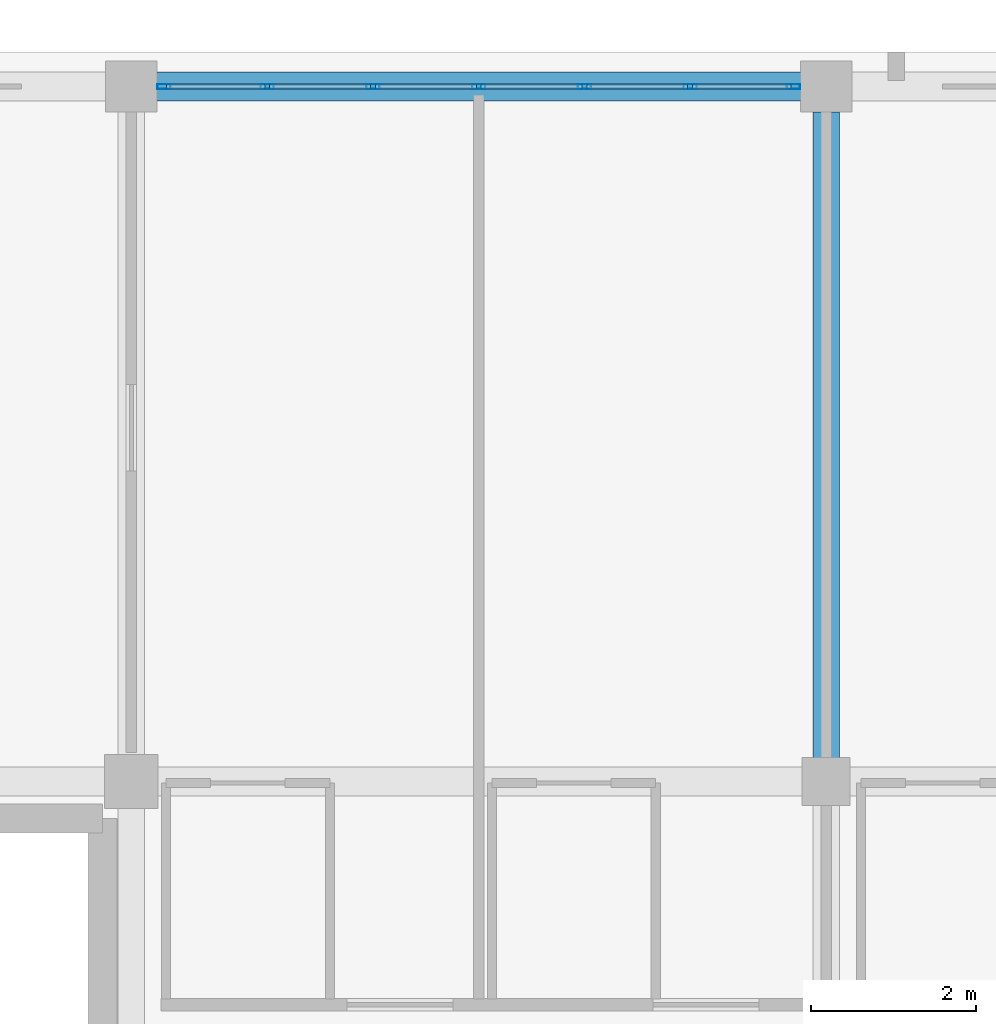
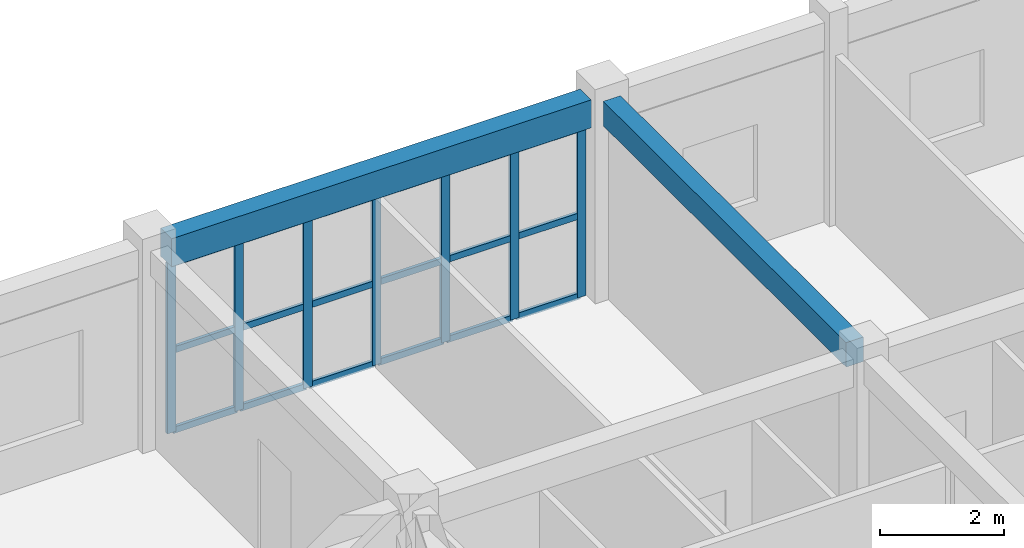
# One storey, part 50 of 81: 25 members, 2 beams, 1 element without a shape of its own.
"""IFC4 building model written with IfcOpenShell, lengths in metres."""

from ifc_helpers import new_model, si_unit, direction, frame, origin, origin_2d, place, context, subcontext, project, spatial, rectangle, hollow_rectangle, extrude, material, layer, layer_set, material_profile, profile_set, type_object, element, aggregate, save


model = new_model("IFC4")

# Units and contexts
model_context = context("Model", 3, precision=1e-05, world=origin(), true_north=direction((0.0, 1.0)))
body_context = subcontext(model_context, "Body", "Model", "MODEL_VIEW")
ifc_project = project(units=[si_unit("LENGTHUNIT", "METRE"), si_unit("AREAUNIT", "SQUARE_METRE"), si_unit("VOLUMEUNIT", "CUBIC_METRE"), si_unit("PLANEANGLEUNIT", "RADIAN"), si_unit("MASSUNIT", "GRAM", prefix="KILO")], contexts=[model_context])

# Site, building, storey
site_placement = place(None, origin())
site = spatial("IfcSite", under=ifc_project, at=site_placement, CompositionType="ELEMENT")
building_placement = place(site_placement, origin())
building = spatial("IfcBuilding", under=site, at=building_placement, Name="Trelvath General Hospital", CompositionType="ELEMENT")
storey_placement = place(building_placement, frame((0.0, 0.0, 24.60009765625)))
storey = spatial("IfcBuildingStorey", under=building, at=storey_placement, Name="L06", CompositionType="ELEMENT", Elevation=24.60009765625)

# Beams
ifc_material_1 = material(Name="Concrete C35/45", Category="concrete")
ifc_material_profile_1 = material_profile(ifc_material_1, rectangle(XDim=0.320068359375, YDim=0.47998046875, at=origin_2d()), Name="RCB320x480")
ifc_profile_set_1 = profile_set([ifc_material_profile_1], Name="Concrete C35/45")
beam_type_1 = type_object("IfcBeamType", Name="Beam RC320x480", PredefinedType="BEAM", material=ifc_profile_set_1)
beam_1_placement = place(storey_placement, frame((100.800048828125, 109.485107421875, 3.679931640625), z_axis=(0.0, 1.0, 0.0), x_axis=(-1.0, 0.0, 0.0)))
element("IfcBeam", 1, at=beam_1_placement, inside=storey, type_object=beam_type_1, Name="Grid Beam BY-612N", PredefinedType="BEAM", context=body_context, shape_type="SweptSolid", body=[
    extrude(rectangle(XDim=0.320068359375, YDim=0.47998046875, at=origin_2d()), origin(), (0.0, 0.0, 1.0), 7.809814453125),
])
ifc_material_2 = material(Name="Concrete C35/45", Category="concrete")
ifc_material_profile_2 = material_profile(ifc_material_2, rectangle(XDim=0.35009765625, YDim=0.550048828125, at=origin_2d()), Name="RCB350x550")
ifc_profile_set_2 = profile_set([ifc_material_profile_2], Name="Concrete C35/45")
beam_type_2 = type_object("IfcBeamType", Name="Beam RC350x550", PredefinedType="BEAM", material=ifc_profile_set_2)
beam_2_placement = place(storey_placement, frame((92.705078125, 117.60009765625, 3.64501953125), z_axis=(1.0, 0.0, 0.0), x_axis=(0.0, 1.0, 0.0)))
element("IfcBeam", 2, at=beam_2_placement, inside=storey, type_object=beam_type_2, Name="Grid Beam BX-611O", PredefinedType="BEAM", context=body_context, shape_type="SweptSolid", body=[
    extrude(rectangle(XDim=0.35009765625, YDim=0.550048828125, at=origin_2d()), origin(), (0.0, 0.0, 1.0), 7.7900390625),
])

# Curtain wall, members
ifc_material_3 = material(Name="Anodised aluminium and low-E glass", Category="aluminium")
ifc_layer = layer(ifc_material_3, 0.14990234375)
ifc_layer_set = layer_set([ifc_layer], Name="Anodised aluminium and low-E glass")
curtain_wall_type = type_object("IfcCurtainWallType", Name="CW Facade 767 334 15", PredefinedType="USERDEFINED", material=ifc_layer_set)
curtain_wall_placement = place(storey_placement, origin())
curtain_wall = element("IfcCurtainWall", 3, at=curtain_wall_placement, inside=storey, type_object=curtain_wall_type, Name="Facade Curtain Wall CW-083", ObjectType="Unitised Glazed Curtain Wall", PredefinedType="USERDEFINED")
ifc_material_4 = material(Name="Anodised aluminium", Category="aluminium")
ifc_material_profile_3 = material_profile(ifc_material_4, hollow_rectangle(XDim=0.06005859375, YDim=0.159912109375, WallThickness=0.00390625, at=origin_2d()), Name="RHS60x160x4")
ifc_profile_set_3 = profile_set([ifc_material_profile_3], Name="Anodised aluminium")
member_type_1 = type_object("IfcMemberType", Name="CurtainMullion 60x160", PredefinedType="MULLION", material=ifc_profile_set_3)
member_1_placement = place(storey_placement, frame((92.794921875, 117.60009765625, 0.0), z_axis=(0.0, 0.0, 1.0), x_axis=(0.0, 1.0, 0.0)))
member_1 = element("IfcMember", 4, at=member_1_placement, type_object=member_type_1, Name="CW-083 mullion 1", PredefinedType="MULLION", context=body_context, shape_type="SweptSolid", body=[
    extrude(hollow_rectangle(XDim=0.06005859375, YDim=0.159912109375, WallThickness=0.00390625, at=origin_2d()), origin(), (0.0, 0.0, 1.0), 3.33984375),
])
member_2_placement = place(storey_placement, frame((94.043212890625, 117.60009765625, 0.0), z_axis=(0.0, 0.0, 1.0), x_axis=(0.0, 1.0, 0.0)))
member_2 = element("IfcMember", 5, at=member_2_placement, type_object=member_type_1, Name="CW-083 mullion 2", PredefinedType="MULLION", context=body_context, shape_type="SweptSolid", body=[
    extrude(hollow_rectangle(XDim=0.06005859375, YDim=0.159912109375, WallThickness=0.00390625, at=origin_2d()), origin(), (0.0, 0.0, 1.0), 3.33984375),
])
member_3_placement = place(storey_placement, frame((95.32177734375, 117.60009765625, 0.0), z_axis=(0.0, 0.0, 1.0), x_axis=(0.0, 1.0, 0.0)))
member_3 = element("IfcMember", 6, at=member_3_placement, type_object=member_type_1, Name="CW-083 mullion 3", PredefinedType="MULLION", context=body_context, shape_type="SweptSolid", body=[
    extrude(hollow_rectangle(XDim=0.06005859375, YDim=0.159912109375, WallThickness=0.00390625, at=origin_2d()), origin(), (0.0, 0.0, 1.0), 3.33984375),
])
member_4_placement = place(storey_placement, frame((96.60009765625, 117.60009765625, 0.0), z_axis=(0.0, 0.0, 1.0), x_axis=(0.0, 1.0, 0.0)))
member_4 = element("IfcMember", 7, at=member_4_placement, type_object=member_type_1, Name="CW-083 mullion 4", PredefinedType="MULLION", context=body_context, shape_type="SweptSolid", body=[
    extrude(hollow_rectangle(XDim=0.06005859375, YDim=0.159912109375, WallThickness=0.00390625, at=origin_2d()), origin(), (0.0, 0.0, 1.0), 3.33984375),
])
member_5_placement = place(storey_placement, frame((97.87841796875, 117.60009765625, 0.0), z_axis=(0.0, 0.0, 1.0), x_axis=(0.0, 1.0, 0.0)))
member_5 = element("IfcMember", 8, at=member_5_placement, type_object=member_type_1, Name="CW-083 mullion 5", PredefinedType="MULLION", context=body_context, shape_type="SweptSolid", body=[
    extrude(hollow_rectangle(XDim=0.06005859375, YDim=0.159912109375, WallThickness=0.00390625, at=origin_2d()), origin(), (0.0, 0.0, 1.0), 3.33984375),
])
member_6_placement = place(storey_placement, frame((99.15673828125, 117.60009765625, 0.0), z_axis=(0.0, 0.0, 1.0), x_axis=(0.0, 1.0, 0.0)))
member_6 = element("IfcMember", 9, at=member_6_placement, type_object=member_type_1, Name="CW-083 mullion 6", PredefinedType="MULLION", context=body_context, shape_type="SweptSolid", body=[
    extrude(hollow_rectangle(XDim=0.06005859375, YDim=0.159912109375, WallThickness=0.00390625, at=origin_2d()), origin(), (0.0, 0.0, 1.0), 3.33984375),
])
member_7_placement = place(storey_placement, frame((100.405029296875, 117.60009765625, 0.0), z_axis=(0.0, 0.0, 1.0), x_axis=(0.0, 1.0, 0.0)))
member_7 = element("IfcMember", 10, at=member_7_placement, type_object=member_type_1, Name="CW-083 mullion 7", PredefinedType="MULLION", context=body_context, shape_type="SweptSolid", body=[
    extrude(hollow_rectangle(XDim=0.06005859375, YDim=0.159912109375, WallThickness=0.00390625, at=origin_2d()), origin(), (0.0, 0.0, 1.0), 3.33984375),
])
ifc_material_5 = material(Name="Anodised aluminium", Category="aluminium")
ifc_material_profile_4 = material_profile(ifc_material_5, hollow_rectangle(XDim=0.06005859375, YDim=0.125, WallThickness=0.00390625, at=origin_2d()), Name="RHS60x125x4")
ifc_profile_set_4 = profile_set([ifc_material_profile_4], Name="Anodised aluminium")
member_type_2 = type_object("IfcMemberType", Name="CurtainTransom 60x125", PredefinedType="USERDEFINED", material=ifc_profile_set_4)
member_8_placement = place(storey_placement, frame((92.824951171875, 117.60009765625, 0.02978515625), z_axis=(1.0, 0.0, 0.0), x_axis=(0.0, 1.0, 0.0)))
member_8 = element("IfcMember", 11, at=member_8_placement, type_object=member_type_2, Name="CW-083 transom 1.1", ObjectType="TRANSOM", PredefinedType="USERDEFINED", context=body_context, shape_type="SweptSolid", body=[
    extrude(hollow_rectangle(XDim=0.06005859375, YDim=0.125, WallThickness=0.00390625, at=origin_2d()), origin(), (0.0, 0.0, 1.0), 1.1884765625),
])
member_9_placement = place(storey_placement, frame((92.824951171875, 117.60009765625, 1.602783203125), z_axis=(1.0, 0.0, 0.0), x_axis=(0.0, 1.0, 0.0)))
member_9 = element("IfcMember", 12, at=member_9_placement, type_object=member_type_2, Name="CW-083 transom 1.2", ObjectType="TRANSOM", PredefinedType="USERDEFINED", context=body_context, shape_type="SweptSolid", body=[
    extrude(hollow_rectangle(XDim=0.06005859375, YDim=0.125, WallThickness=0.00390625, at=origin_2d()), origin(), (0.0, 0.0, 1.0), 1.1884765625),
])
member_10_placement = place(storey_placement, frame((92.824951171875, 117.60009765625, 3.309814453125), z_axis=(1.0, 0.0, 0.0), x_axis=(0.0, 1.0, 0.0)))
member_10 = element("IfcMember", 13, at=member_10_placement, type_object=member_type_2, Name="CW-083 transom 1.3", ObjectType="TRANSOM", PredefinedType="USERDEFINED", context=body_context, shape_type="SweptSolid", body=[
    extrude(hollow_rectangle(XDim=0.06005859375, YDim=0.125, WallThickness=0.00390625, at=origin_2d()), origin(), (0.0, 0.0, 1.0), 1.1884765625),
])
member_11_placement = place(storey_placement, frame((94.0732421875, 117.60009765625, 0.02978515625), z_axis=(1.0, 0.0, 0.0), x_axis=(0.0, 1.0, 0.0)))
member_11 = element("IfcMember", 14, at=member_11_placement, type_object=member_type_2, Name="CW-083 transom 2.1", ObjectType="TRANSOM", PredefinedType="USERDEFINED", context=body_context, shape_type="SweptSolid", body=[
    extrude(hollow_rectangle(XDim=0.06005859375, YDim=0.125, WallThickness=0.00390625, at=origin_2d()), origin(), (0.0, 0.0, 1.0), 1.218505859375),
])
member_12_placement = place(storey_placement, frame((94.0732421875, 117.60009765625, 1.602783203125), z_axis=(1.0, 0.0, 0.0), x_axis=(0.0, 1.0, 0.0)))
member_12 = element("IfcMember", 15, at=member_12_placement, type_object=member_type_2, Name="CW-083 transom 2.2", ObjectType="TRANSOM", PredefinedType="USERDEFINED", context=body_context, shape_type="SweptSolid", body=[
    extrude(hollow_rectangle(XDim=0.06005859375, YDim=0.125, WallThickness=0.00390625, at=origin_2d()), origin(), (0.0, 0.0, 1.0), 1.218505859375),
])
member_13_placement = place(storey_placement, frame((94.0732421875, 117.60009765625, 3.309814453125), z_axis=(1.0, 0.0, 0.0), x_axis=(0.0, 1.0, 0.0)))
member_13 = element("IfcMember", 16, at=member_13_placement, type_object=member_type_2, Name="CW-083 transom 2.3", ObjectType="TRANSOM", PredefinedType="USERDEFINED", context=body_context, shape_type="SweptSolid", body=[
    extrude(hollow_rectangle(XDim=0.06005859375, YDim=0.125, WallThickness=0.00390625, at=origin_2d()), origin(), (0.0, 0.0, 1.0), 1.218505859375),
])
member_14_placement = place(storey_placement, frame((95.3515625, 117.60009765625, 0.02978515625), z_axis=(1.0, 0.0, 0.0), x_axis=(0.0, 1.0, 0.0)))
member_14 = element("IfcMember", 17, at=member_14_placement, type_object=member_type_2, Name="CW-083 transom 3.1", ObjectType="TRANSOM", PredefinedType="USERDEFINED", context=body_context, shape_type="SweptSolid", body=[
    extrude(hollow_rectangle(XDim=0.06005859375, YDim=0.125, WallThickness=0.00390625, at=origin_2d()), origin(), (0.0, 0.0, 1.0), 1.218505859375),
])
member_15_placement = place(storey_placement, frame((95.3515625, 117.60009765625, 1.602783203125), z_axis=(1.0, 0.0, 0.0), x_axis=(0.0, 1.0, 0.0)))
member_15 = element("IfcMember", 18, at=member_15_placement, type_object=member_type_2, Name="CW-083 transom 3.2", ObjectType="TRANSOM", PredefinedType="USERDEFINED", context=body_context, shape_type="SweptSolid", body=[
    extrude(hollow_rectangle(XDim=0.06005859375, YDim=0.125, WallThickness=0.00390625, at=origin_2d()), origin(), (0.0, 0.0, 1.0), 1.218505859375),
])
member_16_placement = place(storey_placement, frame((95.3515625, 117.60009765625, 3.309814453125), z_axis=(1.0, 0.0, 0.0), x_axis=(0.0, 1.0, 0.0)))
member_16 = element("IfcMember", 19, at=member_16_placement, type_object=member_type_2, Name="CW-083 transom 3.3", ObjectType="TRANSOM", PredefinedType="USERDEFINED", context=body_context, shape_type="SweptSolid", body=[
    extrude(hollow_rectangle(XDim=0.06005859375, YDim=0.125, WallThickness=0.00390625, at=origin_2d()), origin(), (0.0, 0.0, 1.0), 1.218505859375),
])
member_17_placement = place(storey_placement, frame((96.6298828125, 117.60009765625, 0.02978515625), z_axis=(1.0, 0.0, 0.0), x_axis=(0.0, 1.0, 0.0)))
member_17 = element("IfcMember", 20, at=member_17_placement, type_object=member_type_2, Name="CW-083 transom 4.1", ObjectType="TRANSOM", PredefinedType="USERDEFINED", context=body_context, shape_type="SweptSolid", body=[
    extrude(hollow_rectangle(XDim=0.06005859375, YDim=0.125, WallThickness=0.00390625, at=origin_2d()), origin(), (0.0, 0.0, 1.0), 1.218505859375),
])
member_18_placement = place(storey_placement, frame((96.6298828125, 117.60009765625, 1.602783203125), z_axis=(1.0, 0.0, 0.0), x_axis=(0.0, 1.0, 0.0)))
member_18 = element("IfcMember", 21, at=member_18_placement, type_object=member_type_2, Name="CW-083 transom 4.2", ObjectType="TRANSOM", PredefinedType="USERDEFINED", context=body_context, shape_type="SweptSolid", body=[
    extrude(hollow_rectangle(XDim=0.06005859375, YDim=0.125, WallThickness=0.00390625, at=origin_2d()), origin(), (0.0, 0.0, 1.0), 1.218505859375),
])
member_19_placement = place(storey_placement, frame((96.6298828125, 117.60009765625, 3.309814453125), z_axis=(1.0, 0.0, 0.0), x_axis=(0.0, 1.0, 0.0)))
member_19 = element("IfcMember", 22, at=member_19_placement, type_object=member_type_2, Name="CW-083 transom 4.3", ObjectType="TRANSOM", PredefinedType="USERDEFINED", context=body_context, shape_type="SweptSolid", body=[
    extrude(hollow_rectangle(XDim=0.06005859375, YDim=0.125, WallThickness=0.00390625, at=origin_2d()), origin(), (0.0, 0.0, 1.0), 1.218505859375),
])
member_20_placement = place(storey_placement, frame((97.908447265625, 117.60009765625, 0.02978515625), z_axis=(1.0, 0.0, 0.0), x_axis=(0.0, 1.0, 0.0)))
member_20 = element("IfcMember", 23, at=member_20_placement, type_object=member_type_2, Name="CW-083 transom 5.1", ObjectType="TRANSOM", PredefinedType="USERDEFINED", context=body_context, shape_type="SweptSolid", body=[
    extrude(hollow_rectangle(XDim=0.06005859375, YDim=0.125, WallThickness=0.00390625, at=origin_2d()), origin(), (0.0, 0.0, 1.0), 1.21826171875),
])
member_21_placement = place(storey_placement, frame((97.908447265625, 117.60009765625, 1.602783203125), z_axis=(1.0, 0.0, 0.0), x_axis=(0.0, 1.0, 0.0)))
member_21 = element("IfcMember", 24, at=member_21_placement, type_object=member_type_2, Name="CW-083 transom 5.2", ObjectType="TRANSOM", PredefinedType="USERDEFINED", context=body_context, shape_type="SweptSolid", body=[
    extrude(hollow_rectangle(XDim=0.06005859375, YDim=0.125, WallThickness=0.00390625, at=origin_2d()), origin(), (0.0, 0.0, 1.0), 1.21826171875),
])
member_22_placement = place(storey_placement, frame((97.908447265625, 117.60009765625, 3.309814453125), z_axis=(1.0, 0.0, 0.0), x_axis=(0.0, 1.0, 0.0)))
member_22 = element("IfcMember", 25, at=member_22_placement, type_object=member_type_2, Name="CW-083 transom 5.3", ObjectType="TRANSOM", PredefinedType="USERDEFINED", context=body_context, shape_type="SweptSolid", body=[
    extrude(hollow_rectangle(XDim=0.06005859375, YDim=0.125, WallThickness=0.00390625, at=origin_2d()), origin(), (0.0, 0.0, 1.0), 1.21826171875),
])
member_23_placement = place(storey_placement, frame((99.186767578125, 117.60009765625, 0.02978515625), z_axis=(1.0, 0.0, 0.0), x_axis=(0.0, 1.0, 0.0)))
member_23 = element("IfcMember", 26, at=member_23_placement, type_object=member_type_2, Name="CW-083 transom 6.1", ObjectType="TRANSOM", PredefinedType="USERDEFINED", context=body_context, shape_type="SweptSolid", body=[
    extrude(hollow_rectangle(XDim=0.06005859375, YDim=0.125, WallThickness=0.00390625, at=origin_2d()), origin(), (0.0, 0.0, 1.0), 1.188232421875),
])
member_24_placement = place(storey_placement, frame((99.186767578125, 117.60009765625, 1.602783203125), z_axis=(1.0, 0.0, 0.0), x_axis=(0.0, 1.0, 0.0)))
member_24 = element("IfcMember", 27, at=member_24_placement, type_object=member_type_2, Name="CW-083 transom 6.2", ObjectType="TRANSOM", PredefinedType="USERDEFINED", context=body_context, shape_type="SweptSolid", body=[
    extrude(hollow_rectangle(XDim=0.06005859375, YDim=0.125, WallThickness=0.00390625, at=origin_2d()), origin(), (0.0, 0.0, 1.0), 1.188232421875),
])
member_25_placement = place(storey_placement, frame((99.186767578125, 117.60009765625, 3.309814453125), z_axis=(1.0, 0.0, 0.0), x_axis=(0.0, 1.0, 0.0)))
member_25 = element("IfcMember", 28, at=member_25_placement, type_object=member_type_2, Name="CW-083 transom 6.3", ObjectType="TRANSOM", PredefinedType="USERDEFINED", context=body_context, shape_type="SweptSolid", body=[
    extrude(hollow_rectangle(XDim=0.06005859375, YDim=0.125, WallThickness=0.00390625, at=origin_2d()), origin(), (0.0, 0.0, 1.0), 1.188232421875),
])
aggregate(curtain_wall, [member_1, member_2, member_3, member_4, member_5, member_6, member_7, member_8, member_9, member_10, member_11, member_12, member_13, member_14, member_15, member_16, member_17, member_18, member_19, member_20, member_21, member_22, member_23, member_24, member_25])

save(model, "model.ifc")
